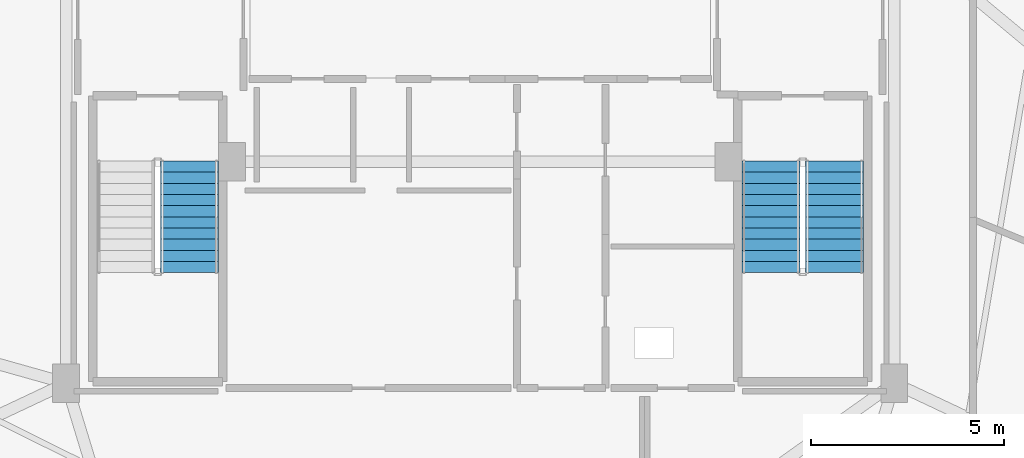
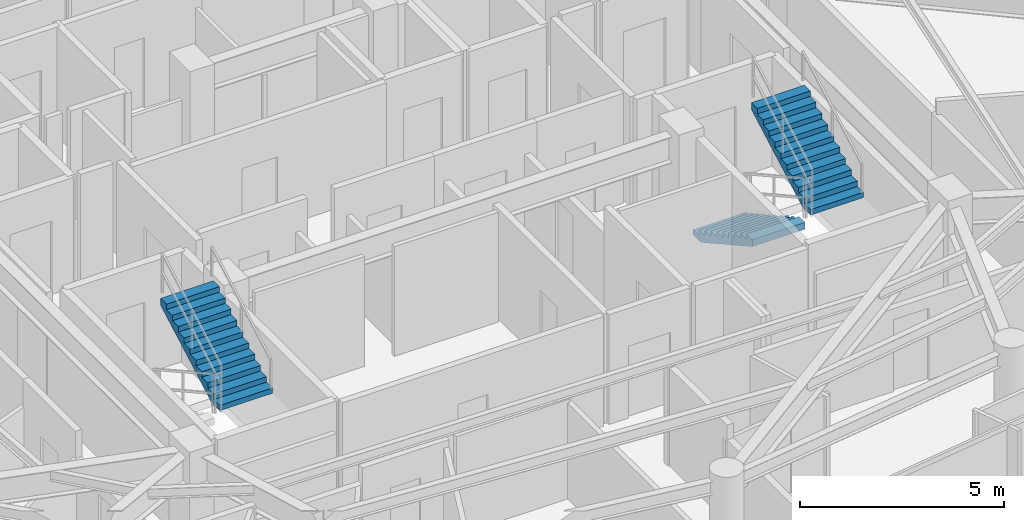
# One storey, part 26 of 30: 3 stair flights, 2 elements without a shape of their own.
"""IFC4 building model written with IfcOpenShell, lengths in metres."""

from ifc_helpers import new_model, si_unit, direction, frame, origin, place, context, subcontext, project, spatial, polyline, outline, extrude, material, type_object, element, aggregate, save


model = new_model("IFC4")

# Units and contexts
model_context = context("Model", 3, precision=1e-05, world=origin(), true_north=direction((0.0, 1.0)))
body_context = subcontext(model_context, "Body", "Model", "MODEL_VIEW")
ifc_project = project(units=[si_unit("LENGTHUNIT", "METRE"), si_unit("AREAUNIT", "SQUARE_METRE"), si_unit("VOLUMEUNIT", "CUBIC_METRE"), si_unit("PLANEANGLEUNIT", "RADIAN"), si_unit("MASSUNIT", "GRAM", prefix="KILO")], contexts=[model_context])

# Site, building, storey
site_placement = place(None, origin())
site = spatial("IfcSite", under=ifc_project, at=site_placement, CompositionType="ELEMENT")
building_placement = place(site_placement, origin())
building = spatial("IfcBuilding", under=site, at=building_placement, Name="Vorneva Point Tower", CompositionType="ELEMENT")
storey_placement = place(building_placement, frame((0.0, 0.0, 241.35009765625)))
storey = spatial("IfcBuildingStorey", under=building, at=storey_placement, Name="L65", CompositionType="ELEMENT", Elevation=241.35009765625)

# Stair, stair flight
ifc_material = material(Name="Concrete B50 (C40/50)", Category="concrete")
stair_type = type_object("IfcStairType", Name="ST-DOG-1500", PredefinedType="HALF_TURN_STAIR", material=ifc_material)
stair_1_placement = place(storey_placement, origin())
stair_1 = element("IfcStair", 1, at=stair_1_placement, inside=storey, type_object=stair_type, Name="L65 ST1", PredefinedType="HALF_TURN_STAIR")
stair_flight_type = type_object("IfcStairFlightType", Name="STF-1500", PredefinedType="STRAIGHT", material=ifc_material)
stair_flight_1_placement = place(storey_placement, frame((30.449951171875, 19.320068359375, 1.77490234375), z_axis=(0.0, 0.0, 1.0), x_axis=(0.0, 1.0, 0.0)))
stair_flight_1 = element("IfcStairFlight", 2, at=stair_flight_1_placement, type_object=stair_flight_type, Name="ST1 flight 2", NumberOfRisers=11, NumberOfTreads=10, PredefinedType="STRAIGHT", RiserHeight=0.161363636, TreadLength=0.29, context=body_context, shape_type="SweptSolid", body=[
    extrude(outline(polyline([(0.0, 0.0), (0.0, 0.161376953125), (0.2900390625, 0.161376953125), (0.2900390625, 0.32275390625), (0.580078125, 0.32275390625), (0.580078125, 0.484130859375), (0.8701171875, 0.484130859375), (0.8701171875, 0.6455078125), (1.159912109375, 0.6455078125), (1.159912109375, 0.806884765625), (1.449951171875, 0.806884765625), (1.449951171875, 0.96826171875), (1.739990234375, 0.96826171875), (1.739990234375, 1.129638671875), (2.030029296875, 1.129638671875), (2.030029296875, 1.291015625), (2.320068359375, 1.291015625), (2.320068359375, 1.452392578125), (2.610107421875, 1.452392578125), (2.610107421875, 1.613525390625), (2.89990234375, 1.613525390625), (2.89990234375, 1.77490234375), (2.89990234375, 1.40771484375), (0.3701171875, 0.0), (0.0, 0.0)])), frame((0.0, 0.75, 0.0), z_axis=(0.0, -1.0, 0.0), x_axis=(1.0, 0.0, 0.0)), (0.0, 0.0, 1.0), 1.5),
])
aggregate(stair_1, [stair_flight_1])

# Stair, stair flights
stair_2_placement = place(storey_placement, origin())
stair_2 = element("IfcStair", 3, at=stair_2_placement, inside=storey, type_object=stair_type, Name="L65 ST2", PredefinedType="HALF_TURN_STAIR")
stair_flight_2_placement = place(storey_placement, frame((45.550048828125, 22.219970703125, 0.0), z_axis=(0.0, 0.0, 1.0), x_axis=(0.0, -1.0, 0.0)))
stair_flight_2 = element("IfcStairFlight", 4, at=stair_flight_2_placement, type_object=stair_flight_type, Name="ST2 flight 1", NumberOfRisers=11, NumberOfTreads=10, PredefinedType="STRAIGHT", RiserHeight=0.161363636, TreadLength=0.29, context=body_context, shape_type="SweptSolid", body=[
    extrude(outline(polyline([(0.0, 0.0), (0.0, 0.161376953125), (0.2900390625, 0.161376953125), (0.2900390625, 0.32275390625), (0.580078125, 0.32275390625), (0.580078125, 0.484130859375), (0.8701171875, 0.484130859375), (0.8701171875, 0.6455078125), (1.159912109375, 0.6455078125), (1.159912109375, 0.806884765625), (1.449951171875, 0.806884765625), (1.449951171875, 0.96826171875), (1.739990234375, 0.96826171875), (1.739990234375, 1.129638671875), (2.030029296875, 1.129638671875), (2.030029296875, 1.291015625), (2.320068359375, 1.291015625), (2.320068359375, 1.452392578125), (2.610107421875, 1.452392578125), (2.610107421875, 1.613525390625), (2.89990234375, 1.613525390625), (2.89990234375, 1.77490234375), (2.89990234375, 1.40771484375), (0.3701171875, 0.0), (0.0, 0.0)])), frame((0.0, 0.75, 0.0), z_axis=(0.0, -1.0, 0.0), x_axis=(1.0, 0.0, 0.0)), (0.0, 0.0, 1.0), 1.5),
])
stair_flight_3_placement = place(storey_placement, frame((47.199951171875, 19.320068359375, 1.77490234375), z_axis=(0.0, 0.0, 1.0), x_axis=(0.0, 1.0, 0.0)))
stair_flight_3 = element("IfcStairFlight", 5, at=stair_flight_3_placement, type_object=stair_flight_type, Name="ST2 flight 2", NumberOfRisers=11, NumberOfTreads=10, PredefinedType="STRAIGHT", RiserHeight=0.161363636, TreadLength=0.29, context=body_context, shape_type="SweptSolid", body=[
    extrude(outline(polyline([(0.0, 0.0), (0.0, 0.161376953125), (0.2900390625, 0.161376953125), (0.2900390625, 0.32275390625), (0.580078125, 0.32275390625), (0.580078125, 0.484130859375), (0.8701171875, 0.484130859375), (0.8701171875, 0.6455078125), (1.159912109375, 0.6455078125), (1.159912109375, 0.806884765625), (1.449951171875, 0.806884765625), (1.449951171875, 0.96826171875), (1.739990234375, 0.96826171875), (1.739990234375, 1.129638671875), (2.030029296875, 1.129638671875), (2.030029296875, 1.291015625), (2.320068359375, 1.291015625), (2.320068359375, 1.452392578125), (2.610107421875, 1.452392578125), (2.610107421875, 1.613525390625), (2.89990234375, 1.613525390625), (2.89990234375, 1.77490234375), (2.89990234375, 1.40771484375), (0.3701171875, 0.0), (0.0, 0.0)])), frame((0.0, 0.75, 0.0), z_axis=(0.0, -1.0, 0.0), x_axis=(1.0, 0.0, 0.0)), (0.0, 0.0, 1.0), 1.5),
])
aggregate(stair_2, [stair_flight_2, stair_flight_3])

save(model, "model.ifc")
